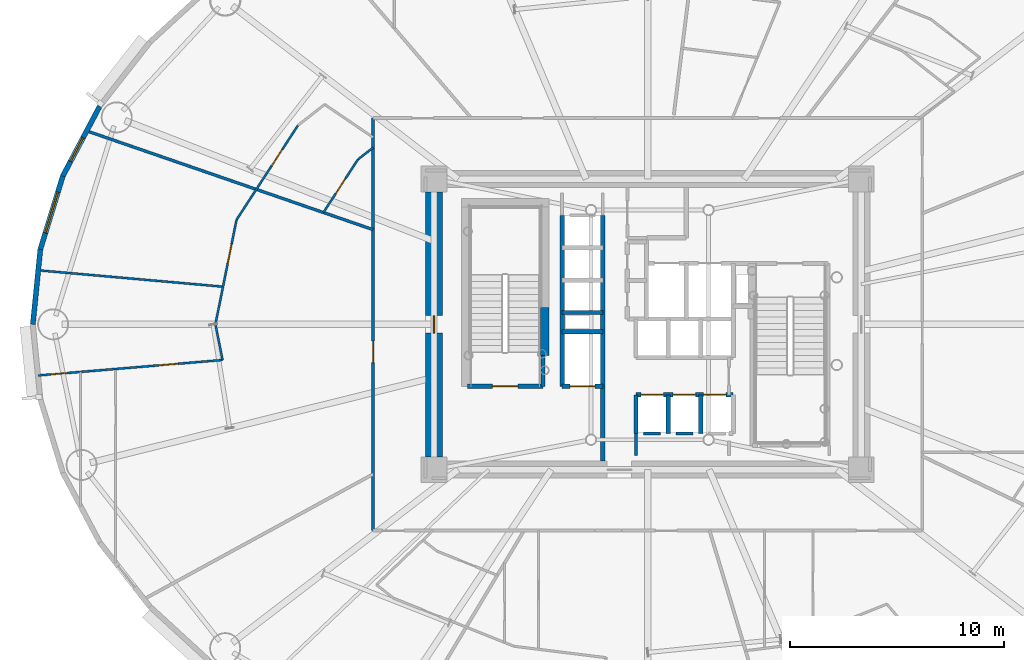
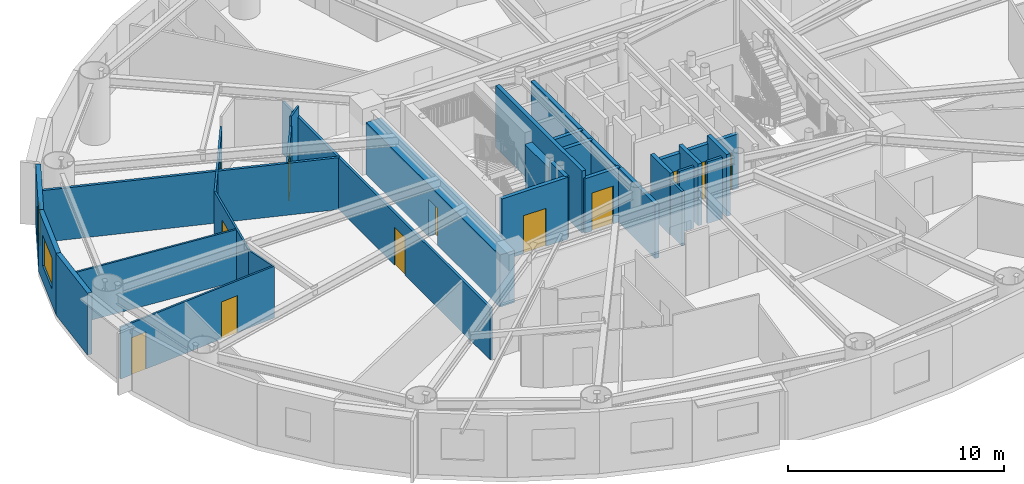
# One storey, part 10 of 21: 28 walls, 12 doors, 2 windows, 14 openings.
"""IFC4 building model written with IfcOpenShell, lengths in metres."""

from ifc_helpers import new_model, si_unit, direction, frame, frame_2d, origin, origin_2d, place, context, subcontext, project, spatial, rectangle, extrude, source, transform, mapped, material, layer, layer_set, type_object, element, fill, save


model = new_model("IFC4")

# Units and contexts
model_context = context("Model", 3, precision=1e-05, world=origin(), true_north=direction((0.0, 1.0)))
body_context = subcontext(model_context, "Body", "Model", "MODEL_VIEW")
ifc_project = project(units=[si_unit("LENGTHUNIT", "METRE"), si_unit("AREAUNIT", "SQUARE_METRE"), si_unit("VOLUMEUNIT", "CUBIC_METRE"), si_unit("PLANEANGLEUNIT", "RADIAN"), si_unit("MASSUNIT", "GRAM", prefix="KILO")], contexts=[model_context])

# Site, building, storey
site_placement = place(None, origin())
site = spatial("IfcSite", under=ifc_project, at=site_placement, CompositionType="ELEMENT")
building_placement = place(site_placement, origin())
building = spatial("IfcBuilding", under=site, at=building_placement, Name="Linh Dai School and Residence Tower", CompositionType="ELEMENT")
storey_placement = place(building_placement, frame((0.0, 0.0, 97.199951171875)))
storey = spatial("IfcBuildingStorey", under=building, at=storey_placement, Name="L22", CompositionType="ELEMENT", Elevation=97.199951171875)

# Wall, opening, window
ifc_material_1 = material(Name="Precast Concrete B45 (C35/45)", Category="concrete")
ifc_layer_1 = layer(ifc_material_1, 0.239990234375)
ifc_layer_set_1 = layer_set([ifc_layer_1], Name="Precast Concrete B45 (C35/45)")
wall_type_1 = type_object("IfcWallType", Name="EW-TC-240", PredefinedType="SOLIDWALL", material=ifc_layer_set_1)
wall_1_placement = place(storey_placement, frame((8.6298828125, 33.945068359375, 0.0), z_axis=(0.0, 0.0, 1.0), x_axis=(0.467614004126, 0.883932770716, 0.0)))
wall_1 = element("IfcWall", 1, at=wall_1_placement, inside=storey, type_object=wall_type_1, Name="L22 Terracotta Exterior Wall 18", PredefinedType="SOLIDWALL", context=body_context, shape_type="SweptSolid", body=[
    extrude(rectangle(XDim=3.688720703125, YDim=0.239990234375, at=frame_2d((1.84423828125, 0.0))), origin(), (0.0, 0.0, 1.0), 3.5),
])
opening_1_placement = place(wall_1_placement, frame((0.77392578125, 0.0, 0.89990234375)))
opening_1 = element("IfcOpeningElement", 2, at=opening_1_placement, cuts=wall_1, Name="Opening W3", PredefinedType="OPENING", context=body_context, shape_type="SweptSolid", body=[
    extrude(rectangle(XDim=1.25, YDim=1.64990234375, at=origin_2d()), frame((0.625, 0.1298828125, 0.824951171875), z_axis=(0.0, -1.0, 0.0), x_axis=(1.0, 0.0, 0.0)), (0.0, 0.0, 1.0), 0.260009765625),
])
ifc_material_2 = material(Name="Double Low-E Insulated Glazing", Category="glass")
window_type_1 = type_object("IfcWindowType", Name="WN-RES-1250x1650", PartitioningType="SINGLE_PANEL", PredefinedType="WINDOW", material=ifc_material_2)
shared_shape_1 = source(origin(), body_context, "Body", "SweptSolid", [
    extrude(rectangle(XDim=1.25, YDim=1.64990234375, at=origin_2d()), frame((0.625, 0.030029296875, 0.824951171875), z_axis=(0.0, -1.0, 0.0), x_axis=(1.0, 0.0, 0.0)), (0.0, 0.0, 1.0), 0.06005859375),
])
window_1_placement = place(opening_1_placement, origin())
window_1 = element("IfcWindow", 3, at=window_1_placement, inside=storey, type_object=window_type_1, Name="L22 Exterior Window 18.1", OverallHeight=1.64990234375, OverallWidth=1.25, PartitioningType="SINGLE_PANEL", PredefinedType="WINDOW", context=body_context, shape_type="MappedRepresentation", body=[
    mapped(shared_shape_1, transform((0.0, 0.0, 0.0), x_axis=(1.0, 0.0, 0.0), y_axis=(0.0, 1.0, 0.0), z_axis=(0.0, 0.0, 1.0), scale=1.0)),
])
fill(opening_1, window_1)

wall_2_placement = place(storey_placement, frame((7.578369140625, 30.515380859375, 0.0), z_axis=(0.0, 0.0, 1.0), x_axis=(0.293124431344, 0.956074300329, 0.0)))
wall_2 = element("IfcWall", 4, at=wall_2_placement, inside=storey, type_object=wall_type_1, Name="L22 Terracotta Exterior Wall 19", PredefinedType="SOLIDWALL", context=body_context, shape_type="SweptSolid", body=[
    extrude(rectangle(XDim=3.587158203125, YDim=0.239990234375, at=frame_2d((1.79345703125, 0.0))), origin(), (0.0, 0.0, 1.0), 3.5),
])
opening_2_placement = place(wall_2_placement, frame((0.793701171875, 0.0, 0.89990234375)))
opening_2 = element("IfcOpeningElement", 5, at=opening_2_placement, cuts=wall_2, Name="Opening W1", PredefinedType="OPENING", context=body_context, shape_type="SweptSolid", body=[
    extrude(rectangle(XDim=2.0, YDim=1.75, at=origin_2d()), frame((1.0, 0.1298828125, 0.875), z_axis=(0.0, -1.0, 0.0), x_axis=(1.0, 0.0, 0.0)), (0.0, 0.0, 1.0), 0.260009765625),
])
window_type_2 = type_object("IfcWindowType", Name="WN-RES-2000x1750", PartitioningType="DOUBLE_PANEL_VERTICAL", PredefinedType="WINDOW", material=ifc_material_2)
shared_shape_2 = source(origin(), body_context, "Body", "SweptSolid", [
    extrude(rectangle(XDim=2.0, YDim=1.75, at=origin_2d()), frame((1.0, 0.030029296875, 0.875), z_axis=(0.0, -1.0, 0.0), x_axis=(1.0, 0.0, 0.0)), (0.0, 0.0, 1.0), 0.06005859375),
])
window_2_placement = place(opening_2_placement, origin())
window_2 = element("IfcWindow", 6, at=window_2_placement, inside=storey, type_object=window_type_2, Name="L22 Exterior Window 19.1", OverallHeight=1.75, OverallWidth=2.0, PartitioningType="DOUBLE_PANEL_VERTICAL", PredefinedType="WINDOW", context=body_context, shape_type="MappedRepresentation", body=[
    mapped(shared_shape_2, transform((0.0, 0.0, 0.0), x_axis=(1.0, 0.0, 0.0), y_axis=(0.0, 1.0, 0.0), z_axis=(0.0, 0.0, 1.0), scale=1.0)),
])
fill(opening_2, window_2)

# Walls
wall_3_placement = place(storey_placement, frame((7.22509765625, 27.0, 0.0), z_axis=(0.0, 0.0, 1.0), x_axis=(0.099989468229, 0.994988495533, 0.0)))
element("IfcWall", 7, at=wall_3_placement, inside=storey, type_object=wall_type_1, Name="L22 Terracotta Exterior Wall 20", PredefinedType="SOLIDWALL", context=body_context, shape_type="SweptSolid", body=[
    extrude(rectangle(XDim=3.533203125, YDim=0.239990234375, at=frame_2d((1.7666015625, 0.0))), origin(), (0.0, 0.0, 1.0), 3.5),
])
ifc_material_3 = material(Name="Autoclaved Aerated Concrete Blockwork", Category="masonry")
ifc_layer_2 = layer(ifc_material_3, 0.135009765625)
ifc_layer_set_2 = layer_set([ifc_layer_2], Name="Autoclaved Aerated Concrete Blockwork")
wall_type_2 = type_object("IfcWallType", Name="IW-CORR-135-EI90", PredefinedType="PARTITIONING", material=ifc_layer_set_2)
wall_4_placement = place(storey_placement, frame((9.7412109375, 36.056640625, 0.0), z_axis=(0.0, 0.0, 1.0), x_axis=(0.945349748634, -0.326058051207, 0.0)))
element("IfcWall", 8, at=wall_4_placement, inside=storey, type_object=wall_type_2, Name="L22 Interior Partition Wall 004", PredefinedType="PARTITIONING", context=body_context, shape_type="SweptSolid", body=[
    extrude(rectangle(XDim=14.183837890625, YDim=0.135009765625, at=frame_2d((7.091796875, 0.0))), origin(), (0.0, 0.0, 1.0), 2.93505859375),
])

# Wall, opening, door
wall_5_placement = place(storey_placement, frame((23.14990234375, 17.35009765625, 0.0), z_axis=(0.0, 0.0, 1.0), x_axis=(0.0, 1.0, 0.0)))
wall_5 = element("IfcWall", 9, at=wall_5_placement, inside=storey, type_object=wall_type_2, Name="L22 Interior Partition Wall 016", PredefinedType="PARTITIONING", context=body_context, shape_type="SweptSolid", body=[
    extrude(rectangle(XDim=19.2998046875, YDim=0.135009765625, at=frame_2d((9.64990234375, 0.0))), origin(), (0.0, 0.0, 1.0), 2.93505859375),
])
opening_3_placement = place(wall_5_placement, frame((7.8603515625, 0.0, 0.0)))
opening_3 = element("IfcOpeningElement", 10, at=opening_3_placement, cuts=wall_5, Name="Opening D03", PredefinedType="OPENING", context=body_context, shape_type="SweptSolid", body=[
    extrude(rectangle(XDim=1.0, YDim=2.14990234375, at=origin_2d()), frame((0.5, 0.07763671875, 1.074951171875), z_axis=(0.0, -1.0, 0.0), x_axis=(1.0, 0.0, 0.0)), (0.0, 0.0, 1.0), 0.155029296875),
])
ifc_material_4 = material(Name="Fire-Rated Solid Timber Entrance Door", Category="wood")
door_type_1 = type_object("IfcDoorType", Name="DR-FLAT-1000x2150-FD60S", OperationType="NOTDEFINED", PredefinedType="DOOR", material=ifc_material_4)
shared_shape_3 = source(origin(), body_context, "Body", "SweptSolid", [
    extrude(rectangle(XDim=1.0, YDim=2.14990234375, at=origin_2d()), frame((0.5, 0.02490234375, 1.074951171875), z_axis=(0.0, -1.0, 0.0), x_axis=(1.0, 0.0, 0.0)), (0.0, 0.0, 1.0), 0.050048828125),
])
door_1_placement = place(opening_3_placement, origin())
door_1 = element("IfcDoor", 11, at=door_1_placement, inside=storey, type_object=door_type_1, Name="L22 U2205 Apartment Entrance Door", OperationType="SINGLE_SWING_RIGHT", OverallHeight=2.14990234375, OverallWidth=1.0, PredefinedType="DOOR", context=body_context, shape_type="MappedRepresentation", body=[
    mapped(shared_shape_3, transform((0.0, 0.0, 0.0), x_axis=(1.0, 0.0, 0.0), y_axis=(0.0, 1.0, 0.0), z_axis=(0.0, 0.0, 1.0), scale=1.0)),
])
fill(opening_3, door_1)

# Walls
wall_6_placement = place(storey_placement, frame((36.60009765625, 21.89990234375, 0.0), z_axis=(0.0, 0.0, 1.0), x_axis=(-1.0, 0.0, 0.0)))
element("IfcWall", 12, at=wall_6_placement, inside=storey, type_object=wall_type_2, Name="L22 Interior Partition Wall 098", PredefinedType="PARTITIONING", context=body_context, shape_type="SweptSolid", body=[
    extrude(rectangle(XDim=0.7900390625, YDim=0.135009765625, at=frame_2d((0.39501953125, 0.0))), origin(), (0.0, 0.0, 1.0), 3.5),
])
wall_7_placement = place(storey_placement, frame((38.1201171875, 21.89990234375, 0.0), z_axis=(0.0, 0.0, 1.0), x_axis=(-1.0, 0.0, 0.0)))
element("IfcWall", 13, at=wall_7_placement, inside=storey, type_object=wall_type_2, Name="L22 Interior Partition Wall 099", PredefinedType="PARTITIONING", context=body_context, shape_type="SweptSolid", body=[
    extrude(rectangle(XDim=0.800048828125, YDim=0.135009765625, at=frame_2d((0.39990234375, 0.0))), origin(), (0.0, 0.0, 1.0), 3.5),
])
wall_8_placement = place(storey_placement, frame((35.449951171875, 21.889892578125, 0.0), z_axis=(0.0, 0.0, 1.0), x_axis=(0.0, -1.0, 0.0)))
element("IfcWall", 14, at=wall_8_placement, inside=storey, type_object=wall_type_2, Name="L22 Interior Partition Wall 105", PredefinedType="PARTITIONING", context=body_context, shape_type="SweptSolid", body=[
    extrude(rectangle(XDim=1.02978515625, YDim=0.135009765625, at=frame_2d((0.514892578125, 0.0))), origin(), (0.0, 0.0, 1.0), 3.0849609375),
])

# Wall, opening, door
ifc_material_5 = material(Name="Concrete B45 (C35/45)", Category="concrete")
ifc_layer_3 = layer(ifc_material_5, 0.199951171875)
ifc_layer_set_3 = layer_set([ifc_layer_3], Name="Concrete B45 (C35/45)")
wall_type_3 = type_object("IfcWallType", Name="IW-SHAFT-200-EI120", PredefinedType="PARTITIONING", material=ifc_layer_set_3)
wall_9_placement = place(storey_placement, frame((27.56005859375, 24.10009765625, 0.0), z_axis=(0.0, 0.0, 1.0), x_axis=(1.0, 0.0, 0.0)))
wall_9 = element("IfcWall", 15, at=wall_9_placement, inside=storey, type_object=wall_type_3, Name="L22 Interior Partition Wall 026", PredefinedType="PARTITIONING", context=body_context, shape_type="SweptSolid", body=[
    extrude(rectangle(XDim=3.5400390625, YDim=0.199951171875, at=frame_2d((1.77001953125, 0.0))), origin(), (0.0, 0.0, 1.0), 3.5),
])
opening_4_placement = place(wall_9_placement, frame((1.169921875, 0.0, 0.0)))
opening_4 = element("IfcOpeningElement", 16, at=opening_4_placement, cuts=wall_9, Name="Opening D01", PredefinedType="OPENING", context=body_context, shape_type="SweptSolid", body=[
    extrude(rectangle(XDim=1.199951171875, YDim=2.14990234375, at=origin_2d()), frame((0.60009765625, 0.10986328125, 1.074951171875), z_axis=(0.0, -1.0, 0.0), x_axis=(1.0, 0.0, 0.0)), (0.0, 0.0, 1.0), 0.219970703125),
])
ifc_material_6 = material(Name="Fire-Rated Steel Door Leaf", Category="steel")
door_type_2 = type_object("IfcDoorType", Name="DR-STAIR-1200x2150-FD90S", OperationType="NOTDEFINED", PredefinedType="DOOR", material=ifc_material_6)
shared_shape_4 = source(origin(), body_context, "Body", "SweptSolid", [
    extrude(rectangle(XDim=1.199951171875, YDim=2.14990234375, at=origin_2d()), frame((0.60009765625, 0.02490234375, 1.074951171875), z_axis=(0.0, -1.0, 0.0), x_axis=(1.0, 0.0, 0.0)), (0.0, 0.0, 1.0), 0.050048828125),
])
door_2_placement = place(opening_4_placement, origin())
door_2 = element("IfcDoor", 17, at=door_2_placement, inside=storey, type_object=door_type_2, Name="L22 Core Smokeproof Exit Stair ST1 Door", OperationType="SINGLE_SWING_LEFT", OverallHeight=2.14990234375, OverallWidth=1.199951171875, PredefinedType="DOOR", context=body_context, shape_type="MappedRepresentation", body=[
    mapped(shared_shape_4, transform((0.0, 0.0, 0.0), x_axis=(1.0, 0.0, 0.0), y_axis=(0.0, 1.0, 0.0), z_axis=(0.0, 0.0, 1.0), scale=1.0)),
])
fill(opening_4, door_2)

# Walls
wall_10_placement = place(storey_placement, frame((31.10009765625, 24.10009765625, 0.0), z_axis=(0.0, 0.0, 1.0), x_axis=(0.0, 1.0, 0.0)))
element("IfcWall", 18, at=wall_10_placement, inside=storey, type_object=wall_type_3, Name="L22 Interior Partition Wall 031", PredefinedType="PARTITIONING", context=body_context, shape_type="SweptSolid", body=[
    extrude(rectangle(XDim=1.43994140625, YDim=0.199951171875, at=frame_2d((0.719970703125, 0.0))), origin(), (0.0, 0.0, 1.0), 3.5),
])
wall_11_placement = place(storey_placement, frame((32.0, 24.10009765625, 0.0), z_axis=(0.0, 0.0, 1.0), x_axis=(0.0, 1.0, 0.0)))
element("IfcWall", 19, at=wall_11_placement, inside=storey, type_object=wall_type_3, Name="L22 Interior Partition Wall 033", PredefinedType="PARTITIONING", context=body_context, shape_type="SweptSolid", body=[
    extrude(rectangle(XDim=8.0, YDim=0.199951171875, at=frame_2d((4.0, 0.0))), origin(), (0.0, 0.0, 1.0), 3.5),
])

# Wall, opening, door
wall_12_placement = place(storey_placement, frame((32.0, 24.10009765625, 0.0), z_axis=(0.0, 0.0, 1.0), x_axis=(1.0, 0.0, 0.0)))
wall_12 = element("IfcWall", 20, at=wall_12_placement, inside=storey, type_object=wall_type_3, Name="L22 Interior Partition Wall 034", PredefinedType="PARTITIONING", context=body_context, shape_type="SweptSolid", body=[
    extrude(rectangle(XDim=1.89990234375, YDim=0.199951171875, at=frame_2d((0.949951171875, 0.0))), origin(), (0.0, 0.0, 1.0), 3.0849609375),
])
opening_5_placement = place(wall_12_placement, frame((0.375, 0.0, 0.0)))
opening_5 = element("IfcOpeningElement", 21, at=opening_5_placement, cuts=wall_12, Name="Opening LD-FF2", PredefinedType="OPENING", context=body_context, shape_type="SweptSolid", body=[
    extrude(rectangle(XDim=1.14990234375, YDim=2.14990234375, at=origin_2d()), frame((0.574951171875, 0.10986328125, 1.074951171875), z_axis=(0.0, -1.0, 0.0), x_axis=(1.0, 0.0, 0.0)), (0.0, 0.0, 1.0), 0.219970703125),
])
ifc_material_7 = material(Name="Fire-Rated Stainless Steel Firefighting Lift Door", Category="steel")
door_type_3 = type_object("IfcDoorType", Name="DR-LD-FF-1150x2150-FD120", OperationType="DOUBLE_DOOR_SLIDING", PredefinedType="USERDEFINED", material=ifc_material_7)
shared_shape_5 = source(origin(), body_context, "Body", "SweptSolid", [
    extrude(rectangle(XDim=1.14990234375, YDim=2.14990234375, at=origin_2d()), frame((0.574951171875, 0.02490234375, 1.074951171875), z_axis=(0.0, -1.0, 0.0), x_axis=(1.0, 0.0, 0.0)), (0.0, 0.0, 1.0), 0.050048828125),
])
door_3_placement = place(opening_5_placement, origin())
door_3 = element("IfcDoor", 22, at=door_3_placement, inside=storey, type_object=door_type_3, Name="L22 Lift FF2 Sliding Landing Door", ObjectType="LANDING DOOR", OperationType="DOUBLE_DOOR_SLIDING", OverallHeight=2.14990234375, OverallWidth=1.14990234375, PredefinedType="USERDEFINED", context=body_context, shape_type="MappedRepresentation", body=[
    mapped(shared_shape_5, transform((0.0, 0.0, 0.0), x_axis=(1.0, 0.0, 0.0), y_axis=(0.0, 1.0, 0.0), z_axis=(0.0, 0.0, 1.0), scale=1.0)),
])
fill(opening_5, door_3)

# Walls
for number, where, z_axis, x_axis, name in (
    (23, (32.0, 26.64990234375, 0.0), (0.0, 0.0, 1.0), (1.0, 0.0, 0.0), "L22 Interior Partition Wall 035"),
    (24, (32.0, 27.550048828125, 0.0), (0.0, 0.0, 1.0), (1.0, 0.0, 0.0), "L22 Interior Partition Wall 036"),
):
    element("IfcWall", number, at=place(storey_placement, frame(where, z_axis=z_axis, x_axis=x_axis)), inside=storey, type_object=wall_type_3, Name=name, PredefinedType="PARTITIONING", context=body_context, shape_type="SweptSolid", body=[
        extrude(rectangle(XDim=1.89990234375, YDim=0.199951171875, at=frame_2d((0.949951171875, 0.0))), origin(), (0.0, 0.0, 1.0), 3.0849609375),
    ])
wall_13_placement = place(storey_placement, frame((33.89990234375, 20.60009765625, 0.0), z_axis=(0.0, 0.0, 1.0), x_axis=(0.0, 1.0, 0.0)))
element("IfcWall", 25, at=wall_13_placement, inside=storey, type_object=wall_type_3, Name="L22 Interior Partition Wall 040", PredefinedType="PARTITIONING", context=body_context, shape_type="SweptSolid", body=[
    extrude(rectangle(XDim=11.5, YDim=0.199951171875, at=frame_2d((5.75, 0.0))), origin(), (0.0, 0.0, 1.0), 3.0849609375),
])
wall_14_placement = place(storey_placement, frame((35.449951171875, 21.89990234375, 0.0), z_axis=(0.0, 0.0, 1.0), x_axis=(0.0, 1.0, 0.0)))
element("IfcWall", 26, at=wall_14_placement, inside=storey, type_object=wall_type_3, Name="L22 Interior Partition Wall 048", PredefinedType="PARTITIONING", context=body_context, shape_type="SweptSolid", body=[
    extrude(rectangle(XDim=1.800048828125, YDim=0.199951171875, at=frame_2d((0.89990234375, 0.0))), origin(), (0.0, 0.0, 1.0), 3.5),
])

# Wall, openings, doors
wall_15_placement = place(storey_placement, frame((35.449951171875, 23.699951171875, 0.0), z_axis=(0.0, 0.0, 1.0), x_axis=(1.0, 0.0, 0.0)))
wall_15 = element("IfcWall", 27, at=wall_15_placement, inside=storey, type_object=wall_type_3, Name="L22 Interior Partition Wall 049", PredefinedType="PARTITIONING", context=body_context, shape_type="SweptSolid", body=[
    extrude(rectangle(XDim=4.550048828125, YDim=0.199951171875, at=frame_2d((2.27490234375, 0.0))), origin(), (0.0, 0.0, 1.0), 3.0849609375),
])
opening_6_placement = place(wall_15_placement, frame((0.25, 0.0, 0.0)))
opening_6 = element("IfcOpeningElement", 28, at=opening_6_placement, cuts=wall_15, Name="Opening LD-PL1", PredefinedType="OPENING", context=body_context, shape_type="SweptSolid", body=[
    extrude(rectangle(XDim=1.050048828125, YDim=2.14990234375, at=origin_2d()), frame((0.52490234375, 0.10986328125, 1.074951171875), z_axis=(0.0, -1.0, 0.0), x_axis=(1.0, 0.0, 0.0)), (0.0, 0.0, 1.0), 0.219970703125),
])
opening_7_placement = place(wall_15_placement, frame((1.7451171875, 0.0, 0.0)))
opening_7 = element("IfcOpeningElement", 29, at=opening_7_placement, cuts=wall_15, Name="Opening LD-PL2", PredefinedType="OPENING", context=body_context, shape_type="SweptSolid", body=[
    extrude(rectangle(XDim=1.050048828125, YDim=2.14990234375, at=origin_2d()), frame((0.52490234375, 0.10986328125, 1.074951171875), z_axis=(0.0, -1.0, 0.0), x_axis=(1.0, 0.0, 0.0)), (0.0, 0.0, 1.0), 0.219970703125),
])
opening_8_placement = place(wall_15_placement, frame((3.1650390625, 0.0, 0.0)))
opening_8 = element("IfcOpeningElement", 30, at=opening_8_placement, cuts=wall_15, Name="Opening LD-PL3", PredefinedType="OPENING", context=body_context, shape_type="SweptSolid", body=[
    extrude(rectangle(XDim=1.050048828125, YDim=2.14990234375, at=origin_2d()), frame((0.52490234375, 0.10986328125, 1.074951171875), z_axis=(0.0, -1.0, 0.0), x_axis=(1.0, 0.0, 0.0)), (0.0, 0.0, 1.0), 0.219970703125),
])
ifc_material_8 = material(Name="Brushed Stainless Steel Lift Landing Door", Category="steel")
door_type_4 = type_object("IfcDoorType", Name="DR-LD-PASS-1050x2150", OperationType="DOUBLE_DOOR_SLIDING", PredefinedType="USERDEFINED", material=ifc_material_8)
shared_shape_6 = source(origin(), body_context, "Body", "SweptSolid", [
    extrude(rectangle(XDim=1.050048828125, YDim=2.14990234375, at=origin_2d()), frame((0.52490234375, 0.02490234375, 1.074951171875), z_axis=(0.0, -1.0, 0.0), x_axis=(1.0, 0.0, 0.0)), (0.0, 0.0, 1.0), 0.050048828125),
])
door_4_placement = place(opening_6_placement, origin())
door_4 = element("IfcDoor", 31, at=door_4_placement, inside=storey, type_object=door_type_4, Name="L22 Lift PL1 Sliding Landing Door", ObjectType="LANDING DOOR", OperationType="DOUBLE_DOOR_SLIDING", OverallHeight=2.14990234375, OverallWidth=1.050048828125, PredefinedType="USERDEFINED", context=body_context, shape_type="MappedRepresentation", body=[
    mapped(shared_shape_6, transform((0.0, 0.0, 0.0), x_axis=(1.0, 0.0, 0.0), y_axis=(0.0, 1.0, 0.0), z_axis=(0.0, 0.0, 1.0), scale=1.0)),
])
fill(opening_6, door_4)
door_5_placement = place(opening_7_placement, origin())
door_5 = element("IfcDoor", 32, at=door_5_placement, inside=storey, type_object=door_type_4, Name="L22 Lift PL2 Sliding Landing Door", ObjectType="LANDING DOOR", OperationType="DOUBLE_DOOR_SLIDING", OverallHeight=2.14990234375, OverallWidth=1.050048828125, PredefinedType="USERDEFINED", context=body_context, shape_type="MappedRepresentation", body=[
    mapped(shared_shape_6, transform((0.0, 0.0, 0.0), x_axis=(1.0, 0.0, 0.0), y_axis=(0.0, 1.0, 0.0), z_axis=(0.0, 0.0, 1.0), scale=1.0)),
])
fill(opening_7, door_5)
door_6_placement = place(opening_8_placement, origin())
door_6 = element("IfcDoor", 33, at=door_6_placement, inside=storey, type_object=door_type_4, Name="L22 Lift PL3 Sliding Landing Door", ObjectType="LANDING DOOR", OperationType="DOUBLE_DOOR_SLIDING", OverallHeight=2.14990234375, OverallWidth=1.050048828125, PredefinedType="USERDEFINED", context=body_context, shape_type="MappedRepresentation", body=[
    mapped(shared_shape_6, transform((0.0, 0.0, 0.0), x_axis=(1.0, 0.0, 0.0), y_axis=(0.0, 1.0, 0.0), z_axis=(0.0, 0.0, 1.0), scale=1.0)),
])
fill(opening_8, door_6)

# Walls
for number, where, z_axis, x_axis, name in (
    (34, (36.9599609375, 21.89990234375, 0.0), (0.0, 0.0, 1.0), (0.0, 1.0, 0.0), "L22 Interior Partition Wall 056"),
    (35, (38.47998046875, 21.89990234375, 0.0), (0.0, 0.0, 1.0), (0.0, 1.0, 0.0), "L22 Interior Partition Wall 063"),
):
    element("IfcWall", number, at=place(storey_placement, frame(where, z_axis=z_axis, x_axis=x_axis)), inside=storey, type_object=wall_type_3, Name=name, PredefinedType="PARTITIONING", context=body_context, shape_type="SweptSolid", body=[
        extrude(rectangle(XDim=1.800048828125, YDim=0.199951171875, at=frame_2d((0.89990234375, 0.0))), origin(), (0.0, 0.0, 1.0), 3.5),
    ])

# Wall, openings, doors
ifc_material_9 = material(Name="Gypsum Plasterboard Acoustic Stud Partition", Category="masonry")
ifc_layer_4 = layer(ifc_material_9, 0.10009765625)
ifc_layer_set_4 = layer_set([ifc_layer_4], Name="Gypsum Plasterboard Acoustic Stud Partition")
wall_type_4 = type_object("IfcWallType", Name="IW-UNIT-100", PredefinedType="PARTITIONING", material=ifc_layer_set_4)
wall_16_placement = place(storey_placement, frame((7.460693359375, 24.6064453125, 0.0), z_axis=(0.0, 0.0, 1.0), x_axis=(0.996502351316, 0.083564728334, 0.0)))
wall_16 = element("IfcWall", 36, at=wall_16_placement, inside=storey, type_object=wall_type_4, Name="L22 Interior Partition Wall 001", PredefinedType="PARTITIONING", context=body_context, shape_type="SweptSolid", body=[
    extrude(rectangle(XDim=8.677001953125, YDim=0.10009765625, at=frame_2d((4.33837890625, 0.0))), origin(), (0.0, 0.0, 1.0), 2.93505859375),
])
opening_9_placement = place(wall_16_placement, frame((5.694580078125, 0.0, 0.0)))
opening_9 = element("IfcOpeningElement", 37, at=opening_9_placement, cuts=wall_16, Name="Opening D05", PredefinedType="OPENING", context=body_context, shape_type="SweptSolid", body=[
    extrude(rectangle(XDim=0.89990234375, YDim=2.10009765625, at=origin_2d()), frame((0.449951171875, 0.06005859375, 1.050048828125), z_axis=(0.0, -1.0, 0.0), x_axis=(1.0, 0.0, 0.0)), (0.0, 0.0, 1.0), 0.1201171875),
])
opening_10_placement = place(wall_16_placement, frame((0.611572265625, 0.0, 0.0)))
opening_10 = element("IfcOpeningElement", 38, at=opening_10_placement, cuts=wall_16, Name="Opening D06", PredefinedType="OPENING", context=body_context, shape_type="SweptSolid", body=[
    extrude(rectangle(XDim=0.820068359375, YDim=2.10009765625, at=origin_2d()), frame((0.41015625, 0.06005859375, 1.050048828125), z_axis=(0.0, -1.0, 0.0), x_axis=(1.0, 0.0, 0.0)), (0.0, 0.0, 1.0), 0.1201171875),
])
ifc_material_10 = material(Name="Moisture-Resistant Timber Bathroom Door", Category="wood")
door_type_5 = type_object("IfcDoorType", Name="DR-WET-820x2100", OperationType="NOTDEFINED", PredefinedType="DOOR", material=ifc_material_10)
shared_shape_7 = source(origin(), body_context, "Body", "SweptSolid", [
    extrude(rectangle(XDim=0.820068359375, YDim=2.10009765625, at=origin_2d()), frame((0.41015625, 0.02490234375, 1.050048828125), z_axis=(0.0, -1.0, 0.0), x_axis=(1.0, 0.0, 0.0)), (0.0, 0.0, 1.0), 0.050048828125),
])
door_7_placement = place(opening_10_placement, origin())
door_7 = element("IfcDoor", 39, at=door_7_placement, inside=storey, type_object=door_type_5, Name="L22 Apartment U2205 Bathroom 1 Door", OperationType="SINGLE_SWING_LEFT", OverallHeight=2.10009765625, OverallWidth=0.820068359375, PredefinedType="DOOR", context=body_context, shape_type="MappedRepresentation", body=[
    mapped(shared_shape_7, transform((0.0, 0.0, 0.0), x_axis=(1.0, 0.0, 0.0), y_axis=(0.0, 1.0, 0.0), z_axis=(0.0, 0.0, 1.0), scale=1.0)),
])
fill(opening_10, door_7)
ifc_material_11 = material(Name="Engineered Timber Internal Door", Category="wood")
door_type_6 = type_object("IfcDoorType", Name="DR-INT-900x2100", OperationType="NOTDEFINED", PredefinedType="DOOR", material=ifc_material_11)
shared_shape_8 = source(origin(), body_context, "Body", "SweptSolid", [
    extrude(rectangle(XDim=0.89990234375, YDim=2.10009765625, at=origin_2d()), frame((0.449951171875, 0.02490234375, 1.050048828125), z_axis=(0.0, -1.0, 0.0), x_axis=(1.0, 0.0, 0.0)), (0.0, 0.0, 1.0), 0.050048828125),
])
door_8_placement = place(opening_9_placement, origin())
door_8 = element("IfcDoor", 40, at=door_8_placement, inside=storey, type_object=door_type_6, Name="L22 Apartment U2205 Study Door", OperationType="SINGLE_SWING_RIGHT", OverallHeight=2.10009765625, OverallWidth=0.89990234375, PredefinedType="DOOR", context=body_context, shape_type="MappedRepresentation", body=[
    mapped(shared_shape_8, transform((0.0, 0.0, 0.0), x_axis=(1.0, 0.0, 0.0), y_axis=(0.0, 1.0, 0.0), z_axis=(0.0, 0.0, 1.0), scale=1.0)),
])
fill(opening_9, door_8)

# Walls
wall_17_placement = place(storey_placement, frame((7.474365234375, 29.530029296875, 0.0), z_axis=(0.0, 0.0, 1.0), x_axis=(0.99609030315, -0.088340862406, 0.0)))
element("IfcWall", 41, at=wall_17_placement, inside=storey, type_object=wall_type_4, Name="L22 Interior Partition Wall 002", PredefinedType="PARTITIONING", context=body_context, shape_type="SweptSolid", body=[
    extrude(rectangle(XDim=8.68603515625, YDim=0.10009765625, at=frame_2d((4.343017578125, 0.0))), origin(), (0.0, 0.0, 1.0), 2.93505859375),
])
wall_18_placement = place(storey_placement, frame((15.77001953125, 27.0, 0.0), z_axis=(0.0, 0.0, 1.0), x_axis=(0.198211883057, -0.980159195955, 0.0)))
element("IfcWall", 42, at=wall_18_placement, inside=storey, type_object=wall_type_4, Name="L22 Interior Partition Wall 007", PredefinedType="PARTITIONING", context=body_context, shape_type="SweptSolid", body=[
    extrude(rectangle(XDim=1.7021484375, YDim=0.10009765625, at=frame_2d((0.85107421875, 0.0))), origin(), (0.0, 0.0, 1.0), 2.93505859375),
])

# Wall, opening, door
wall_19_placement = place(storey_placement, frame((15.77001953125, 27.0, 0.0), z_axis=(0.0, 0.0, 1.0), x_axis=(0.198230919145, 0.980155346205, 0.0)))
wall_19 = element("IfcWall", 43, at=wall_19_placement, inside=storey, type_object=wall_type_4, Name="L22 Interior Partition Wall 008", PredefinedType="PARTITIONING", context=body_context, shape_type="SweptSolid", body=[
    extrude(rectangle(XDim=4.994140625, YDim=0.10009765625, at=frame_2d((2.4970703125, 0.0))), origin(), (0.0, 0.0, 1.0), 2.93505859375),
])
opening_11_placement = place(wall_19_placement, frame((2.92626953125, 0.0, 0.0)))
opening_11 = element("IfcOpeningElement", 44, at=opening_11_placement, cuts=wall_19, Name="Opening D05", PredefinedType="OPENING", context=body_context, shape_type="SweptSolid", body=[
    extrude(rectangle(XDim=0.89990234375, YDim=2.10009765625, at=origin_2d()), frame((0.449951171875, 0.06005859375, 1.050048828125), z_axis=(0.0, -1.0, 0.0), x_axis=(1.0, 0.0, 0.0)), (0.0, 0.0, 1.0), 0.1201171875),
])
door_9_placement = place(opening_11_placement, origin())
door_9 = element("IfcDoor", 45, at=door_9_placement, inside=storey, type_object=door_type_6, Name="L22 Apartment U2205 Principal Bedroom 1 Door", OperationType="SINGLE_SWING_LEFT", OverallHeight=2.10009765625, OverallWidth=0.89990234375, PredefinedType="DOOR", context=body_context, shape_type="MappedRepresentation", body=[
    mapped(shared_shape_8, transform((0.0, 0.0, 0.0), x_axis=(1.0, 0.0, 0.0), y_axis=(0.0, 1.0, 0.0), z_axis=(0.0, 0.0, 1.0), scale=1.0)),
])
fill(opening_11, door_9)

wall_20_placement = place(storey_placement, frame((16.760009765625, 31.89501953125, 0.0), z_axis=(0.0, 0.0, 1.0), x_axis=(0.545405249109, 0.838172484781, 0.0)))
wall_20 = element("IfcWall", 46, at=wall_20_placement, inside=storey, type_object=wall_type_4, Name="L22 Interior Partition Wall 009", PredefinedType="PARTITIONING", context=body_context, shape_type="SweptSolid", body=[
    extrude(rectangle(XDim=5.2685546875, YDim=0.10009765625, at=frame_2d((2.63427734375, 0.0))), origin(), (0.0, 0.0, 1.0), 2.93505859375),
])
opening_12_placement = place(wall_20_placement, frame((3.01220703125, 0.0, 0.0)))
opening_12 = element("IfcOpeningElement", 47, at=opening_12_placement, cuts=wall_20, Name="Opening D05", PredefinedType="OPENING", context=body_context, shape_type="SweptSolid", body=[
    extrude(rectangle(XDim=0.89990234375, YDim=2.10009765625, at=origin_2d()), frame((0.449951171875, 0.06005859375, 1.050048828125), z_axis=(0.0, -1.0, 0.0), x_axis=(1.0, 0.0, 0.0)), (0.0, 0.0, 1.0), 0.1201171875),
])
door_10_placement = place(opening_12_placement, origin())
door_10 = element("IfcDoor", 48, at=door_10_placement, inside=storey, type_object=door_type_6, Name="L22 Apartment U2204 Kitchen Door", OperationType="SINGLE_SWING_RIGHT", OverallHeight=2.10009765625, OverallWidth=0.89990234375, PredefinedType="DOOR", context=body_context, shape_type="MappedRepresentation", body=[
    mapped(shared_shape_8, transform((0.0, 0.0, 0.0), x_axis=(1.0, 0.0, 0.0), y_axis=(0.0, 1.0, 0.0), z_axis=(0.0, 0.0, 1.0), scale=1.0)),
])
fill(opening_12, door_10)

wall_21_placement = place(storey_placement, frame((20.824951171875, 32.23388671875, 0.0), z_axis=(0.0, 0.0, 1.0), x_axis=(0.545376787896, 0.838191004023, 0.0)))
wall_21 = element("IfcWall", 49, at=wall_21_placement, inside=storey, type_object=wall_type_4, Name="L22 Interior Partition Wall 012", PredefinedType="PARTITIONING", context=body_context, shape_type="SweptSolid", body=[
    extrude(rectangle(XDim=2.9599609375, YDim=0.10009765625, at=frame_2d((1.47998046875, 0.0))), origin(), (0.0, 0.0, 1.0), 2.93505859375),
])
opening_13_placement = place(wall_21_placement, frame((1.070068359375, 0.0, 0.0)))
opening_13 = element("IfcOpeningElement", 50, at=opening_13_placement, cuts=wall_21, Name="Opening D06", PredefinedType="OPENING", context=body_context, shape_type="SweptSolid", body=[
    extrude(rectangle(XDim=0.820068359375, YDim=2.10009765625, at=origin_2d()), frame((0.41015625, 0.06005859375, 1.050048828125), z_axis=(0.0, -1.0, 0.0), x_axis=(1.0, 0.0, 0.0)), (0.0, 0.0, 1.0), 0.1201171875),
])
door_11_placement = place(opening_13_placement, origin())
door_11 = element("IfcDoor", 51, at=door_11_placement, inside=storey, type_object=door_type_5, Name="L22 Apartment U2204 Bathroom Door", OperationType="SINGLE_SWING_LEFT", OverallHeight=2.10009765625, OverallWidth=0.820068359375, PredefinedType="DOOR", context=body_context, shape_type="MappedRepresentation", body=[
    mapped(shared_shape_7, transform((0.0, 0.0, 0.0), x_axis=(1.0, 0.0, 0.0), y_axis=(0.0, 1.0, 0.0), z_axis=(0.0, 0.0, 1.0), scale=1.0)),
])
fill(opening_13, door_11)

# Walls
wall_22_placement = place(storey_placement, frame((22.439208984375, 34.71484375, 0.0), z_axis=(0.0, 0.0, 1.0), x_axis=(0.787265250498, 0.616614486821, 0.0)))
element("IfcWall", 52, at=wall_22_placement, inside=storey, type_object=wall_type_4, Name="L22 Interior Partition Wall 015", PredefinedType="PARTITIONING", context=body_context, shape_type="SweptSolid", body=[
    extrude(rectangle(XDim=0.90283203125, YDim=0.10009765625, at=frame_2d((0.451416015625, 0.0))), origin(), (0.0, 0.0, 1.0), 3.5),
])
ifc_layer_5 = layer(ifc_material_5, 0.39990234375)
ifc_layer_set_5 = layer_set([ifc_layer_5], Name="Concrete B45 (C35/45)")
wall_type_5 = type_object("IfcWallType", Name="WL-CORE400", PredefinedType="SHEAR", material=ifc_layer_set_5)
wall_23_placement = place(storey_placement, frame((31.179931640625, 25.550048828125, 0.0), z_axis=(0.0, 0.0, 1.0), x_axis=(0.0, 1.0, 0.0)))
element("IfcWall", 53, at=wall_23_placement, inside=storey, type_object=wall_type_5, Name="L22 Internal Core Shear Wall IW", PredefinedType="SHEAR", context=body_context, shape_type="SweptSolid", body=[
    extrude(rectangle(XDim=2.25, YDim=0.39990234375, at=frame_2d((1.125, 0.0))), origin(), (0.0, 0.0, 1.0), 3.10009765625),
])

# Wall, opening, door
ifc_material_12 = material(Name="Concrete B60 (C50/60)", Category="concrete")
ifc_layer_6 = layer(ifc_material_12, 0.800048828125)
ifc_layer_set_6 = layer_set([ifc_layer_6], Name="Concrete B60 (C50/60)")
wall_type_6 = type_object("IfcWallType", Name="WL-CORE800", PredefinedType="SHEAR", material=ifc_layer_set_6)
wall_24_placement = place(storey_placement, frame((26.0, 20.800048828125, 0.0), z_axis=(0.0, 0.0, 1.0), x_axis=(0.0, 1.0, 0.0)))
wall_24 = element("IfcWall", 54, at=wall_24_placement, inside=storey, type_object=wall_type_6, Name="L22 Central Core Shear Wall W", PredefinedType="SHEAR", context=body_context, shape_type="SweptSolid", body=[
    extrude(rectangle(XDim=12.39990234375, YDim=0.800048828125, at=frame_2d((6.199951171875, 0.0))), origin(), (0.0, 0.0, 1.0), 2.949951171875),
])
opening_14_placement = place(wall_24_placement, frame((5.7900390625, 0.0, 0.0)))
opening_14 = element("IfcOpeningElement", 55, at=opening_14_placement, cuts=wall_24, Name="Opening D06", PredefinedType="OPENING", context=body_context, shape_type="SweptSolid", body=[
    extrude(rectangle(XDim=0.820068359375, YDim=2.10009765625, at=origin_2d()), frame((0.41015625, 0.41015625, 1.050048828125), z_axis=(0.0, -1.0, 0.0), x_axis=(1.0, 0.0, 0.0)), (0.0, 0.0, 1.0), 0.820068359375),
])
door_12_placement = place(opening_14_placement, origin())
door_12 = element("IfcDoor", 56, at=door_12_placement, inside=storey, type_object=door_type_5, Name="L22 Firefighting Lobby Door", OperationType="SINGLE_SWING_RIGHT", OverallHeight=2.10009765625, OverallWidth=0.820068359375, PredefinedType="DOOR", context=body_context, shape_type="MappedRepresentation", body=[
    mapped(shared_shape_7, transform((0.0, 0.0, 0.0), x_axis=(1.0, 0.0, 0.0), y_axis=(0.0, 1.0, 0.0), z_axis=(0.0, 0.0, 1.0), scale=1.0)),
])
fill(opening_14, door_12)

save(model, "model.ifc")
